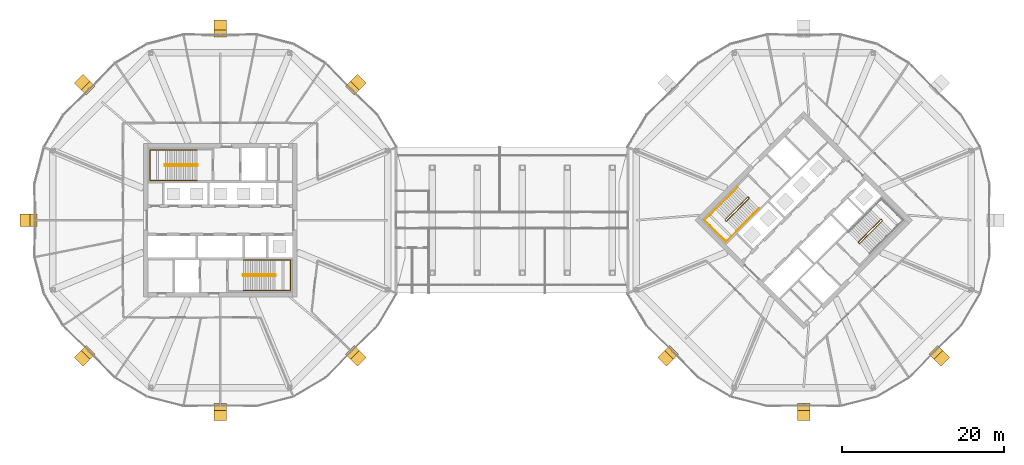
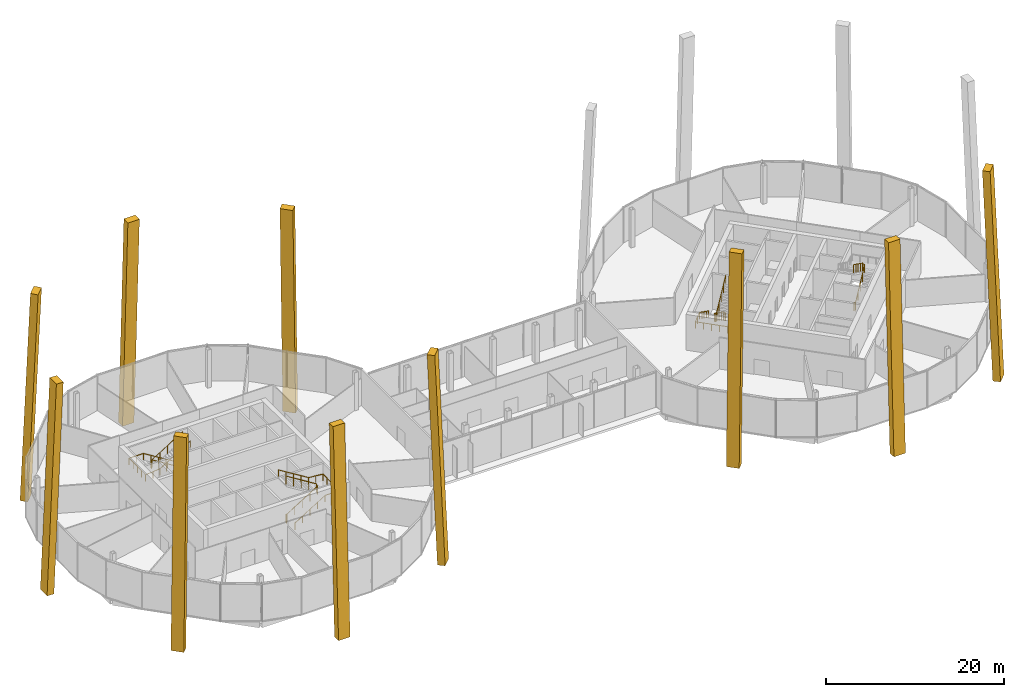
# One storey, part 26 of 28: 10 coverings, 7 railings.
"""IFC4 building model written with IfcOpenShell, lengths in metres."""

from ifc_helpers import new_model, si_unit, direction, frame, origin, origin_2d, place, context, subcontext, project, spatial, rectangle, circle, extrude, material, material_profile, profile_set, type_object, element, save


model = new_model("IFC4")

# Units and contexts
model_context = context("Model", 3, precision=1e-05, world=origin(), true_north=direction((0.0, 1.0)))
body_context = subcontext(model_context, "Body", "Model", "MODEL_VIEW")
ifc_project = project(units=[si_unit("LENGTHUNIT", "METRE"), si_unit("AREAUNIT", "SQUARE_METRE"), si_unit("VOLUMEUNIT", "CUBIC_METRE"), si_unit("PLANEANGLEUNIT", "RADIAN"), si_unit("MASSUNIT", "GRAM", prefix="KILO")], contexts=[model_context])

# Site, building, storey
site_placement = place(None, origin())
site = spatial("IfcSite", under=ifc_project, at=site_placement, CompositionType="ELEMENT")
building_placement = place(site_placement, origin())
building = spatial("IfcBuilding", under=site, at=building_placement, Name="Ogive Gate Towers", CompositionType="ELEMENT")
storey_placement = place(building_placement, frame((0.0, 0.0, 135.60009765625)))
storey = spatial("IfcBuildingStorey", under=building, at=storey_placement, Name="L32", CompositionType="ELEMENT", Elevation=135.60009765625)

# Coverings
ifc_material_1 = material(Name="Pale metal aluminium", Category="aluminium")
ifc_material_profile = material_profile(ifc_material_1, rectangle(XDim=1.5, YDim=0.89990234375, at=origin_2d()), Name="1500 x 900 pale metal aluminium")
ifc_profile_set = profile_set([ifc_material_profile], Name="Pale metal aluminium")
covering_type = type_object("IfcCoveringType", Name="Crease colonnette 1500 x 900", PredefinedType="CLADDING", material=ifc_profile_set)
for number, where, z_axis, x_axis, name in (
    (1, (-18.84521484375, 17.15478515625, -4.10009765625), (-0.029901693981, -0.029901693981, 0.999105488622), (0.707106781187, -0.707106781187, 0.0), "Crease colonnette"),
    (2, (-36.0, 24.260498046875, -4.10009765625), (0.0, -0.042285399658, 0.999105572488), (1.0, 0.0, 0.0), "Crease colonnette"),
    (3, (-53.15478515625, 17.15478515625, -4.10009765625), (0.029901693981, -0.029901693981, 0.999105488622), (0.707106781187, 0.707106781187, 0.0), "Crease colonnette"),
    (4, (-60.260498046875, 0.0, -4.10009765625), (0.042285399658, 0.0, 0.999105572488), (0.0, 1.0, 0.0), "Crease colonnette"),
    (5, (-53.15478515625, -17.15478515625, -4.10009765625), (0.029901693981, 0.029901693981, 0.999105488622), (-0.707106781187, 0.707106781187, 0.0), "Crease colonnette"),
    (6, (-36.0, -24.260498046875, -4.10009765625), (0.0, 0.042285399658, 0.999105572488), (-1.0, 0.0, 0.0), "Crease colonnette"),
    (7, (-18.84521484375, -17.15478515625, -4.10009765625), (-0.029901693981, 0.029901693981, 0.999105488622), (-0.707106781187, -0.707106781187, 0.0), "Crease colonnette"),
    (8, (18.84521484375, -17.15478515625, -4.10009765625), (0.029901693981, 0.029901693981, 0.999105488622), (-0.707106781187, 0.707106781187, 0.0), "Crease colonnette"),
    (9, (36.0, -24.260498046875, -4.10009765625), (0.0, 0.042285399658, 0.999105572488), (-1.0, 0.0, 0.0), "Crease colonnette"),
    (10, (53.15478515625, -17.15478515625, -4.10009765625), (-0.029901693981, 0.029901693981, 0.999105488622), (-0.707106781187, -0.707106781187, 0.0), "Crease colonnette"),
):
    element("IfcCovering", number, at=place(storey_placement, frame(where, z_axis=z_axis, x_axis=x_axis)), inside=storey, type_object=covering_type, Name=name, PredefinedType="CLADDING", context=body_context, shape_type="SweptSolid", body=[
        extrude(rectangle(XDim=1.5, YDim=0.89990234375, at=origin_2d()), origin(), (0.0, 0.0, 1.0), 28.625732421875),
    ])

# Railings
ifc_material_2 = material(Name="Stainless steel", Category="steel")
railing_type_1 = type_object("IfcRailingType", Name="Stair guard 1100", PredefinedType="GUARDRAIL", material=ifc_material_2)
railing_1_placement = place(storey_placement, frame((-38.81494140625, 6.860107421875, 0.0)))
element("IfcRailing", 11, at=railing_1_placement, inside=storey, type_object=railing_type_1, Name="L32 ST1 stair guard 1", PredefinedType="GUARDRAIL", context=body_context, shape_type="SweptSolid", body=[
    extrude(circle(Radius=0.02392578125, at=origin_2d()), frame((0.0, 0.0, 1.076171875), z_axis=(0.0, -1.0, 0.0), x_axis=(1.0, 0.0, 0.0)), (0.0, 0.0, 1.0), 0.14501953125),
    extrude(circle(Radius=0.02392578125, at=origin_2d()), frame((0.0, -0.14501953125, 1.076171875), z_axis=(-0.188484013824, 0.733708502594, 0.652798291782), x_axis=(-0.968551454522, -0.24881334358, 0.0)), (0.0, 0.0, 1.0), 0.265625),
    extrude(circle(Radius=0.02392578125, at=origin_2d()), frame((-0.050048828125, 0.0498046875, 1.24951171875), z_axis=(-0.850275303828, 0.0, 0.526338206574), x_axis=(0.0, -1.0, 0.0)), (0.0, 0.0, 1.0), 4.610107421875),
    extrude(circle(Radius=0.02392578125, at=origin_2d()), frame((-3.969970703125, 0.0498046875, 3.67578125), z_axis=(-0.708833529934, -0.705375805398, 0.0), x_axis=(0.705375805398, -0.708833529934, 0.0)), (0.0, 0.0, 1.0), 0.070556640625),
    extrude(circle(Radius=0.02392578125, at=origin_2d()), frame((-4.02001953125, 0.0, 3.67578125), z_axis=(0.0, -1.0, 0.0), x_axis=(1.0, 0.0, 0.0)), (0.0, 0.0, 1.0), 0.14501953125),
    extrude(circle(Radius=0.02392578125, at=origin_2d()), frame((-4.02001953125, -0.14501953125, 3.67578125), z_axis=(0.26730667905, -0.26730667905, 0.925793864027), x_axis=(0.707106781187, 0.707106781187, 0.0)), (0.0, 0.0, 1.0), 0.187255859375),
    extrude(circle(Radius=0.02392578125, at=origin_2d()), frame((-3.969970703125, -0.195068359375, 3.84912109375), z_axis=(0.850251603719, 0.0, 0.526376491091), x_axis=(0.0, 1.0, 0.0)), (0.0, 0.0, 1.0), 4.6103515625),
    extrude(circle(Radius=0.02099609375, at=origin_2d()), origin(), (0.0, 0.0, 1.0), 1.052001953125),
    extrude(circle(Radius=0.02099609375, at=origin_2d()), frame((0.0, -0.14501953125, 0.0)), (0.0, 0.0, 1.0), 1.052001953125),
    extrude(circle(Radius=0.02099609375, at=origin_2d()), frame((-0.050048828125, 0.0498046875, 0.17333984375)), (0.0, 0.0, 1.0), 1.052001953125),
    extrude(circle(Radius=0.02099609375, at=origin_2d()), frame((-1.030029296875, 0.0498046875, 0.780029296875)), (0.0, 0.0, 1.0), 1.052001953125),
    extrude(circle(Radius=0.02099609375, at=origin_2d()), frame((-2.010009765625, 0.0498046875, 1.38671875)), (0.0, 0.0, 1.0), 1.052001953125),
    extrude(circle(Radius=0.02099609375, at=origin_2d()), frame((-2.989990234375, 0.0498046875, 1.9931640625)), (0.0, 0.0, 1.0), 1.052001953125),
    extrude(circle(Radius=0.02099609375, at=origin_2d()), frame((-3.969970703125, 0.0498046875, 2.599853515625)), (0.0, 0.0, 1.0), 1.052001953125),
    extrude(circle(Radius=0.02099609375, at=origin_2d()), frame((-4.02001953125, 0.0, 2.599853515625)), (0.0, 0.0, 1.0), 1.052001953125),
    extrude(circle(Radius=0.02099609375, at=origin_2d()), frame((-4.02001953125, -0.14501953125, 2.599853515625)), (0.0, 0.0, 1.0), 1.052001953125),
    extrude(circle(Radius=0.02099609375, at=origin_2d()), frame((-3.969970703125, -0.195068359375, 2.773193359375)), (0.0, 0.0, 1.0), 1.052001953125),
    extrude(circle(Radius=0.02099609375, at=origin_2d()), frame((-2.989990234375, -0.195068359375, 3.3798828125)), (0.0, 0.0, 1.0), 1.052001953125),
    extrude(circle(Radius=0.02099609375, at=origin_2d()), frame((-2.010009765625, -0.195068359375, 3.986572265625)), (0.0, 0.0, 1.0), 1.052001953125),
    extrude(circle(Radius=0.02099609375, at=origin_2d()), frame((-1.030029296875, -0.195068359375, 4.59326171875)), (0.0, 0.0, 1.0), 1.052001953125),
    extrude(circle(Radius=0.02099609375, at=origin_2d()), frame((-0.050048828125, -0.195068359375, 5.199951171875)), (0.0, 0.0, 1.0), 1.052001953125),
])
railing_2_placement = place(storey_placement, frame((-33.18505859375, -6.860107421875, 0.0)))
element("IfcRailing", 12, at=railing_2_placement, inside=storey, type_object=railing_type_1, Name="L32 ST2 stair guard 1", PredefinedType="GUARDRAIL", context=body_context, shape_type="SweptSolid", body=[
    extrude(circle(Radius=0.02392578125, at=origin_2d()), frame((0.0, 0.0, 1.076171875), z_axis=(0.0, 1.0, 0.0), x_axis=(-1.0, 0.0, 0.0)), (0.0, 0.0, 1.0), 0.14501953125),
    extrude(circle(Radius=0.02392578125, at=origin_2d()), frame((0.0, 0.14501953125, 1.076171875), z_axis=(0.188484013824, -0.733708502594, 0.652798291782), x_axis=(0.968551454522, 0.24881334358, 0.0)), (0.0, 0.0, 1.0), 0.265625),
    extrude(circle(Radius=0.02392578125, at=origin_2d()), frame((0.050048828125, -0.0498046875, 1.24951171875), z_axis=(0.850275303828, 0.0, 0.526338206574), x_axis=(0.0, 1.0, 0.0)), (0.0, 0.0, 1.0), 4.610107421875),
    extrude(circle(Radius=0.02392578125, at=origin_2d()), frame((3.969970703125, -0.0498046875, 3.67578125), z_axis=(0.708833529934, 0.705375805398, 0.0), x_axis=(-0.705375805398, 0.708833529934, 0.0)), (0.0, 0.0, 1.0), 0.070556640625),
    extrude(circle(Radius=0.02392578125, at=origin_2d()), frame((4.02001953125, 0.0, 3.67578125), z_axis=(0.0, 1.0, 0.0), x_axis=(-1.0, 0.0, 0.0)), (0.0, 0.0, 1.0), 0.14501953125),
    extrude(circle(Radius=0.02392578125, at=origin_2d()), frame((4.02001953125, 0.14501953125, 3.67578125), z_axis=(-0.26730667905, 0.26730667905, 0.925793864027), x_axis=(-0.707106781187, -0.707106781187, 0.0)), (0.0, 0.0, 1.0), 0.187255859375),
    extrude(circle(Radius=0.02392578125, at=origin_2d()), frame((3.969970703125, 0.195068359375, 3.84912109375), z_axis=(-0.850251603719, 0.0, 0.526376491091), x_axis=(0.0, -1.0, 0.0)), (0.0, 0.0, 1.0), 4.6103515625),
    extrude(circle(Radius=0.02099609375, at=origin_2d()), origin(), (0.0, 0.0, 1.0), 1.052001953125),
    extrude(circle(Radius=0.02099609375, at=origin_2d()), frame((0.0, 0.14501953125, 0.0)), (0.0, 0.0, 1.0), 1.052001953125),
    extrude(circle(Radius=0.02099609375, at=origin_2d()), frame((0.050048828125, -0.0498046875, 0.17333984375)), (0.0, 0.0, 1.0), 1.052001953125),
    extrude(circle(Radius=0.02099609375, at=origin_2d()), frame((1.030029296875, -0.0498046875, 0.780029296875)), (0.0, 0.0, 1.0), 1.052001953125),
    extrude(circle(Radius=0.02099609375, at=origin_2d()), frame((2.010009765625, -0.0498046875, 1.38671875)), (0.0, 0.0, 1.0), 1.052001953125),
    extrude(circle(Radius=0.02099609375, at=origin_2d()), frame((2.989990234375, -0.0498046875, 1.9931640625)), (0.0, 0.0, 1.0), 1.052001953125),
    extrude(circle(Radius=0.02099609375, at=origin_2d()), frame((3.969970703125, -0.0498046875, 2.599853515625)), (0.0, 0.0, 1.0), 1.052001953125),
    extrude(circle(Radius=0.02099609375, at=origin_2d()), frame((4.02001953125, 0.0, 2.599853515625)), (0.0, 0.0, 1.0), 1.052001953125),
    extrude(circle(Radius=0.02099609375, at=origin_2d()), frame((4.02001953125, 0.14501953125, 2.599853515625)), (0.0, 0.0, 1.0), 1.052001953125),
    extrude(circle(Radius=0.02099609375, at=origin_2d()), frame((3.969970703125, 0.195068359375, 2.773193359375)), (0.0, 0.0, 1.0), 1.052001953125),
    extrude(circle(Radius=0.02099609375, at=origin_2d()), frame((2.989990234375, 0.195068359375, 3.3798828125)), (0.0, 0.0, 1.0), 1.052001953125),
    extrude(circle(Radius=0.02099609375, at=origin_2d()), frame((2.010009765625, 0.195068359375, 3.986572265625)), (0.0, 0.0, 1.0), 1.052001953125),
    extrude(circle(Radius=0.02099609375, at=origin_2d()), frame((1.030029296875, 0.195068359375, 4.59326171875)), (0.0, 0.0, 1.0), 1.052001953125),
    extrude(circle(Radius=0.02099609375, at=origin_2d()), frame((0.050048828125, 0.195068359375, 5.199951171875)), (0.0, 0.0, 1.0), 1.052001953125),
])
railing_3_placement = place(storey_placement, frame((29.15869140625, 2.8603515625, 0.0)))
element("IfcRailing", 13, at=railing_3_placement, inside=storey, type_object=railing_type_1, Name="L32 ST1 stair guard 1", PredefinedType="GUARDRAIL", context=body_context, shape_type="SweptSolid", body=[
    extrude(circle(Radius=0.02392578125, at=origin_2d()), frame((0.0, 0.0, 1.076171875), z_axis=(0.707106781187, -0.707106781187, 0.0), x_axis=(0.707106781187, 0.707106781187, 0.0)), (0.0, 0.0, 1.0), 0.14501953125),
    extrude(circle(Radius=0.02392578125, at=origin_2d()), frame((0.1025390625, -0.1025390625, 1.076171875), z_axis=(-0.651809433609, 0.386121244169, 0.652728769904), x_axis=(-0.509669330572, -0.860370369942, 0.0)), (0.0, 0.0, 1.0), 0.265625),
    extrude(circle(Radius=0.02392578125, at=origin_2d()), frame((-0.070556640625, 0.0, 1.24951171875), z_axis=(-0.601245607008, -0.601245607008, 0.526314962837), x_axis=(0.707106781187, -0.707106781187, 0.0)), (0.0, 0.0, 1.0), 4.6103515625),
    extrude(circle(Radius=0.02392578125, at=origin_2d()), frame((-2.842529296875, -2.77197265625, 3.67578125), z_axis=(0.0, -1.0, 0.0), x_axis=(1.0, 0.0, 0.0)), (0.0, 0.0, 1.0), 0.07080078125),
    extrude(circle(Radius=0.02392578125, at=origin_2d()), frame((-2.842529296875, -2.8427734375, 3.67578125), z_axis=(0.707106781187, -0.707106781187, 0.0), x_axis=(0.707106781187, 0.707106781187, 0.0)), (0.0, 0.0, 1.0), 0.14501953125),
    extrude(circle(Radius=0.02392578125, at=origin_2d()), frame((-2.739990234375, -2.9453125, 3.67578125), z_axis=(0.378125083424, 0.0, 0.925754514591), x_axis=(0.0, 1.0, 0.0)), (0.0, 0.0, 1.0), 0.187255859375),
    extrude(circle(Radius=0.02392578125, at=origin_2d()), frame((-2.669189453125, -2.9453125, 3.84912109375), z_axis=(0.6011950363, 0.601247991029, 0.526370004476), x_axis=(-0.707137920976, 0.707075640025, 0.0)), (0.0, 0.0, 1.0), 4.6103515625),
    extrude(circle(Radius=0.02099609375, at=origin_2d()), origin(), (0.0, 0.0, 1.0), 1.052001953125),
    extrude(circle(Radius=0.02099609375, at=origin_2d()), frame((0.1025390625, -0.1025390625, 0.0)), (0.0, 0.0, 1.0), 1.052001953125),
    extrude(circle(Radius=0.02099609375, at=origin_2d()), frame((-0.070556640625, 0.0, 0.17333984375)), (0.0, 0.0, 1.0), 1.052001953125),
    extrude(circle(Radius=0.02099609375, at=origin_2d()), frame((-0.763671875, -0.69287109375, 0.780029296875)), (0.0, 0.0, 1.0), 1.052001953125),
    extrude(circle(Radius=0.02099609375, at=origin_2d()), frame((-1.45654296875, -1.385986328125, 1.38671875)), (0.0, 0.0, 1.0), 1.052001953125),
    extrude(circle(Radius=0.02099609375, at=origin_2d()), frame((-2.1494140625, -2.0791015625, 1.9931640625)), (0.0, 0.0, 1.0), 1.052001953125),
    extrude(circle(Radius=0.02099609375, at=origin_2d()), frame((-2.842529296875, -2.77197265625, 2.599853515625)), (0.0, 0.0, 1.0), 1.052001953125),
    extrude(circle(Radius=0.02099609375, at=origin_2d()), frame((-2.842529296875, -2.8427734375, 2.599853515625)), (0.0, 0.0, 1.0), 1.052001953125),
    extrude(circle(Radius=0.02099609375, at=origin_2d()), frame((-2.739990234375, -2.9453125, 2.599853515625)), (0.0, 0.0, 1.0), 1.052001953125),
    extrude(circle(Radius=0.02099609375, at=origin_2d()), frame((-2.669189453125, -2.9453125, 2.773193359375)), (0.0, 0.0, 1.0), 1.052001953125),
    extrude(circle(Radius=0.02099609375, at=origin_2d()), frame((-1.976318359375, -2.25244140625, 3.3798828125)), (0.0, 0.0, 1.0), 1.052001953125),
    extrude(circle(Radius=0.02099609375, at=origin_2d()), frame((-1.283203125, -1.559326171875, 3.986572265625)), (0.0, 0.0, 1.0), 1.052001953125),
    extrude(circle(Radius=0.02099609375, at=origin_2d()), frame((-0.59033203125, -0.8662109375, 4.59326171875)), (0.0, 0.0, 1.0), 1.052001953125),
    extrude(circle(Radius=0.02099609375, at=origin_2d()), frame((0.1025390625, -0.17333984375, 5.199951171875)), (0.0, 0.0, 1.0), 1.052001953125),
])
railing_4_placement = place(storey_placement, frame((42.84130859375, -2.8603515625, 0.0)))
element("IfcRailing", 14, at=railing_4_placement, inside=storey, type_object=railing_type_1, Name="L32 ST2 stair guard 1", PredefinedType="GUARDRAIL", context=body_context, shape_type="SweptSolid", body=[
    extrude(circle(Radius=0.02392578125, at=origin_2d()), frame((0.0, 0.0, 1.076171875), z_axis=(-0.707106781187, 0.707106781187, 0.0), x_axis=(-0.707106781187, -0.707106781187, 0.0)), (0.0, 0.0, 1.0), 0.14501953125),
    extrude(circle(Radius=0.02392578125, at=origin_2d()), frame((-0.1025390625, 0.1025390625, 1.076171875), z_axis=(0.651809433609, -0.386121244169, 0.652728769904), x_axis=(0.509669330572, 0.860370369942, 0.0)), (0.0, 0.0, 1.0), 0.265625),
    extrude(circle(Radius=0.02392578125, at=origin_2d()), frame((0.070556640625, 0.0, 1.24951171875), z_axis=(0.601245607008, 0.601245607008, 0.526314962837), x_axis=(-0.707106781187, 0.707106781187, 0.0)), (0.0, 0.0, 1.0), 4.6103515625),
    extrude(circle(Radius=0.02392578125, at=origin_2d()), frame((2.842529296875, 2.77197265625, 3.67578125), z_axis=(0.0, 1.0, 0.0), x_axis=(-1.0, 0.0, 0.0)), (0.0, 0.0, 1.0), 0.07080078125),
    extrude(circle(Radius=0.02392578125, at=origin_2d()), frame((2.842529296875, 2.8427734375, 3.67578125), z_axis=(-0.707106781187, 0.707106781187, 0.0), x_axis=(-0.707106781187, -0.707106781187, 0.0)), (0.0, 0.0, 1.0), 0.14501953125),
    extrude(circle(Radius=0.02392578125, at=origin_2d()), frame((2.739990234375, 2.9453125, 3.67578125), z_axis=(-0.378125083424, 0.0, 0.925754514591), x_axis=(0.0, -1.0, 0.0)), (0.0, 0.0, 1.0), 0.187255859375),
    extrude(circle(Radius=0.02392578125, at=origin_2d()), frame((2.669189453125, 2.9453125, 3.84912109375), z_axis=(-0.6011950363, -0.601247991029, 0.526370004476), x_axis=(0.707137920976, -0.707075640025, 0.0)), (0.0, 0.0, 1.0), 4.6103515625),
    extrude(circle(Radius=0.02099609375, at=origin_2d()), origin(), (0.0, 0.0, 1.0), 1.052001953125),
    extrude(circle(Radius=0.02099609375, at=origin_2d()), frame((-0.1025390625, 0.1025390625, 0.0)), (0.0, 0.0, 1.0), 1.052001953125),
    extrude(circle(Radius=0.02099609375, at=origin_2d()), frame((0.070556640625, 0.0, 0.17333984375)), (0.0, 0.0, 1.0), 1.052001953125),
    extrude(circle(Radius=0.02099609375, at=origin_2d()), frame((0.763671875, 0.69287109375, 0.780029296875)), (0.0, 0.0, 1.0), 1.052001953125),
    extrude(circle(Radius=0.02099609375, at=origin_2d()), frame((1.45654296875, 1.385986328125, 1.38671875)), (0.0, 0.0, 1.0), 1.052001953125),
    extrude(circle(Radius=0.02099609375, at=origin_2d()), frame((2.1494140625, 2.0791015625, 1.9931640625)), (0.0, 0.0, 1.0), 1.052001953125),
    extrude(circle(Radius=0.02099609375, at=origin_2d()), frame((2.842529296875, 2.77197265625, 2.599853515625)), (0.0, 0.0, 1.0), 1.052001953125),
    extrude(circle(Radius=0.02099609375, at=origin_2d()), frame((2.842529296875, 2.8427734375, 2.599853515625)), (0.0, 0.0, 1.0), 1.052001953125),
    extrude(circle(Radius=0.02099609375, at=origin_2d()), frame((2.739990234375, 2.9453125, 2.599853515625)), (0.0, 0.0, 1.0), 1.052001953125),
    extrude(circle(Radius=0.02099609375, at=origin_2d()), frame((2.669189453125, 2.9453125, 2.773193359375)), (0.0, 0.0, 1.0), 1.052001953125),
    extrude(circle(Radius=0.02099609375, at=origin_2d()), frame((1.976318359375, 2.25244140625, 3.3798828125)), (0.0, 0.0, 1.0), 1.052001953125),
    extrude(circle(Radius=0.02099609375, at=origin_2d()), frame((1.283203125, 1.559326171875, 3.986572265625)), (0.0, 0.0, 1.0), 1.052001953125),
    extrude(circle(Radius=0.02099609375, at=origin_2d()), frame((0.59033203125, 0.8662109375, 4.59326171875)), (0.0, 0.0, 1.0), 1.052001953125),
    extrude(circle(Radius=0.02099609375, at=origin_2d()), frame((-0.1025390625, 0.17333984375, 5.199951171875)), (0.0, 0.0, 1.0), 1.052001953125),
])
railing_type_2 = type_object("IfcRailingType", Name="Stair handrail 900", PredefinedType="HANDRAIL", material=ifc_material_2)
railing_5_placement = place(storey_placement, frame((-38.864990234375, 8.64990234375, 0.17333984375)))
element("IfcRailing", 15, at=railing_5_placement, inside=storey, type_object=railing_type_2, Name="L32 ST1 stair handrail 1", PredefinedType="HANDRAIL", context=body_context, shape_type="SweptSolid", body=[
    extrude(circle(Radius=0.02392578125, at=origin_2d()), frame((0.0, 0.0, 0.8759765625), z_axis=(-0.850275303828, 0.0, 0.526338206574), x_axis=(0.0, -1.0, 0.0)), (0.0, 0.0, 1.0), 4.610107421875),
    extrude(circle(Radius=0.02392578125, at=origin_2d()), frame((-3.919921875, 0.0, 3.30224609375), z_axis=(-1.0, 0.0, 0.0), x_axis=(0.0, -1.0, 0.0)), (0.0, 0.0, 1.0), 1.864990234375),
    extrude(circle(Radius=0.02392578125, at=origin_2d()), frame((-5.784912109375, 0.0, 3.30224609375), z_axis=(0.0, -1.0, 0.0), x_axis=(1.0, 0.0, 0.0)), (0.0, 0.0, 1.0), 3.724853515625),
    extrude(circle(Radius=0.02392578125, at=origin_2d()), frame((-5.784912109375, -3.724853515625, 3.30224609375), z_axis=(0.995708481517, 0.0, 0.092545231297), x_axis=(0.0, 1.0, 0.0)), (0.0, 0.0, 1.0), 1.873046875),
    extrude(circle(Radius=0.02392578125, at=origin_2d()), frame((-3.919921875, -3.724853515625, 3.4755859375), z_axis=(0.850251603719, 0.0, 0.526376491091), x_axis=(0.0, 1.0, 0.0)), (0.0, 0.0, 1.0), 4.6103515625),
    extrude(circle(Radius=0.02099609375, at=origin_2d()), origin(), (0.0, 0.0, 1.0), 0.851806640625),
    extrude(circle(Radius=0.02099609375, at=origin_2d()), frame((-0.97998046875, 0.0, 0.606689453125)), (0.0, 0.0, 1.0), 0.851806640625),
    extrude(circle(Radius=0.02099609375, at=origin_2d()), frame((-1.9599609375, 0.0, 1.21337890625)), (0.0, 0.0, 1.0), 0.851806640625),
    extrude(circle(Radius=0.02099609375, at=origin_2d()), frame((-2.93994140625, 0.0, 1.81982421875)), (0.0, 0.0, 1.0), 0.851806640625),
    extrude(circle(Radius=0.02099609375, at=origin_2d()), frame((-3.919921875, 0.0, 2.426513671875)), (0.0, 0.0, 1.0), 0.851806640625),
    extrude(circle(Radius=0.02099609375, at=origin_2d()), frame((-4.8525390625, 0.0, 2.426513671875)), (0.0, 0.0, 1.0), 0.851806640625),
    extrude(circle(Radius=0.02099609375, at=origin_2d()), frame((-5.784912109375, 0.0, 2.426513671875)), (0.0, 0.0, 1.0), 0.851806640625),
    extrude(circle(Radius=0.02099609375, at=origin_2d()), frame((-5.784912109375, -0.93115234375, 2.426513671875)), (0.0, 0.0, 1.0), 0.851806640625),
    extrude(circle(Radius=0.02099609375, at=origin_2d()), frame((-5.784912109375, -1.8623046875, 2.426513671875)), (0.0, 0.0, 1.0), 0.851806640625),
    extrude(circle(Radius=0.02099609375, at=origin_2d()), frame((-5.784912109375, -2.793701171875, 2.426513671875)), (0.0, 0.0, 1.0), 0.851806640625),
    extrude(circle(Radius=0.02099609375, at=origin_2d()), frame((-5.784912109375, -3.724853515625, 2.426513671875)), (0.0, 0.0, 1.0), 0.851806640625),
    extrude(circle(Radius=0.02099609375, at=origin_2d()), frame((-4.8525390625, -3.724853515625, 2.51318359375)), (0.0, 0.0, 1.0), 0.851806640625),
    extrude(circle(Radius=0.02099609375, at=origin_2d()), frame((-3.919921875, -3.724853515625, 2.599853515625)), (0.0, 0.0, 1.0), 0.851806640625),
    extrude(circle(Radius=0.02099609375, at=origin_2d()), frame((-2.93994140625, -3.724853515625, 3.20654296875)), (0.0, 0.0, 1.0), 0.851806640625),
    extrude(circle(Radius=0.02099609375, at=origin_2d()), frame((-1.9599609375, -3.724853515625, 3.813232421875)), (0.0, 0.0, 1.0), 0.851806640625),
    extrude(circle(Radius=0.02099609375, at=origin_2d()), frame((-0.97998046875, -3.724853515625, 4.419921875)), (0.0, 0.0, 1.0), 0.851806640625),
    extrude(circle(Radius=0.02099609375, at=origin_2d()), frame((0.0, -3.724853515625, 5.026611328125)), (0.0, 0.0, 1.0), 0.851806640625),
])
railing_6_placement = place(storey_placement, frame((-33.135009765625, -8.64990234375, 0.17333984375)))
element("IfcRailing", 16, at=railing_6_placement, inside=storey, type_object=railing_type_2, Name="L32 ST2 stair handrail 1", PredefinedType="HANDRAIL", context=body_context, shape_type="SweptSolid", body=[
    extrude(circle(Radius=0.02392578125, at=origin_2d()), frame((0.0, 0.0, 0.8759765625), z_axis=(0.850275303828, 0.0, 0.526338206574), x_axis=(0.0, 1.0, 0.0)), (0.0, 0.0, 1.0), 4.610107421875),
    extrude(circle(Radius=0.02392578125, at=origin_2d()), frame((3.919921875, 0.0, 3.30224609375), z_axis=(1.0, 0.0, 0.0), x_axis=(0.0, 1.0, 0.0)), (0.0, 0.0, 1.0), 1.864990234375),
    extrude(circle(Radius=0.02392578125, at=origin_2d()), frame((5.784912109375, 0.0, 3.30224609375), z_axis=(0.0, 1.0, 0.0), x_axis=(-1.0, 0.0, 0.0)), (0.0, 0.0, 1.0), 3.724853515625),
    extrude(circle(Radius=0.02392578125, at=origin_2d()), frame((5.784912109375, 3.724853515625, 3.30224609375), z_axis=(-0.995708481517, 0.0, 0.092545231297), x_axis=(0.0, -1.0, 0.0)), (0.0, 0.0, 1.0), 1.873046875),
    extrude(circle(Radius=0.02392578125, at=origin_2d()), frame((3.919921875, 3.724853515625, 3.4755859375), z_axis=(-0.850251603719, 0.0, 0.526376491091), x_axis=(0.0, -1.0, 0.0)), (0.0, 0.0, 1.0), 4.6103515625),
    extrude(circle(Radius=0.02099609375, at=origin_2d()), origin(), (0.0, 0.0, 1.0), 0.851806640625),
    extrude(circle(Radius=0.02099609375, at=origin_2d()), frame((0.97998046875, 0.0, 0.606689453125)), (0.0, 0.0, 1.0), 0.851806640625),
    extrude(circle(Radius=0.02099609375, at=origin_2d()), frame((1.9599609375, 0.0, 1.21337890625)), (0.0, 0.0, 1.0), 0.851806640625),
    extrude(circle(Radius=0.02099609375, at=origin_2d()), frame((2.93994140625, 0.0, 1.81982421875)), (0.0, 0.0, 1.0), 0.851806640625),
    extrude(circle(Radius=0.02099609375, at=origin_2d()), frame((3.919921875, 0.0, 2.426513671875)), (0.0, 0.0, 1.0), 0.851806640625),
    extrude(circle(Radius=0.02099609375, at=origin_2d()), frame((4.8525390625, 0.0, 2.426513671875)), (0.0, 0.0, 1.0), 0.851806640625),
    extrude(circle(Radius=0.02099609375, at=origin_2d()), frame((5.784912109375, 0.0, 2.426513671875)), (0.0, 0.0, 1.0), 0.851806640625),
    extrude(circle(Radius=0.02099609375, at=origin_2d()), frame((5.784912109375, 0.93115234375, 2.426513671875)), (0.0, 0.0, 1.0), 0.851806640625),
    extrude(circle(Radius=0.02099609375, at=origin_2d()), frame((5.784912109375, 1.8623046875, 2.426513671875)), (0.0, 0.0, 1.0), 0.851806640625),
    extrude(circle(Radius=0.02099609375, at=origin_2d()), frame((5.784912109375, 2.793701171875, 2.426513671875)), (0.0, 0.0, 1.0), 0.851806640625),
    extrude(circle(Radius=0.02099609375, at=origin_2d()), frame((5.784912109375, 3.724853515625, 2.426513671875)), (0.0, 0.0, 1.0), 0.851806640625),
    extrude(circle(Radius=0.02099609375, at=origin_2d()), frame((4.8525390625, 3.724853515625, 2.51318359375)), (0.0, 0.0, 1.0), 0.851806640625),
    extrude(circle(Radius=0.02099609375, at=origin_2d()), frame((3.919921875, 3.724853515625, 2.599853515625)), (0.0, 0.0, 1.0), 0.851806640625),
    extrude(circle(Radius=0.02099609375, at=origin_2d()), frame((2.93994140625, 3.724853515625, 3.20654296875)), (0.0, 0.0, 1.0), 0.851806640625),
    extrude(circle(Radius=0.02099609375, at=origin_2d()), frame((1.9599609375, 3.724853515625, 3.813232421875)), (0.0, 0.0, 1.0), 0.851806640625),
    extrude(circle(Radius=0.02099609375, at=origin_2d()), frame((0.97998046875, 3.724853515625, 4.419921875)), (0.0, 0.0, 1.0), 0.851806640625),
    extrude(circle(Radius=0.02099609375, at=origin_2d()), frame((0.0, 3.724853515625, 5.026611328125)), (0.0, 0.0, 1.0), 0.851806640625),
])
railing_7_placement = place(storey_placement, frame((27.857666015625, 4.090576171875, 0.17333984375)))
element("IfcRailing", 17, at=railing_7_placement, inside=storey, type_object=railing_type_2, Name="L32 ST1 stair handrail 1", PredefinedType="HANDRAIL", context=body_context, shape_type="SweptSolid", body=[
    extrude(circle(Radius=0.02392578125, at=origin_2d()), frame((0.0, 0.0, 0.8759765625), z_axis=(-0.601264749941, -0.601211793736, 0.526331720069), x_axis=(0.707075640025, -0.707137920976, 0.0)), (0.0, 0.0, 1.0), 4.6103515625),
    extrude(circle(Radius=0.02392578125, at=origin_2d()), frame((-2.77197265625, -2.771728515625, 3.30224609375), z_axis=(-0.707041323489, -0.707172232825, 0.0), x_axis=(0.707172232825, -0.707041323489, 0.0)), (0.0, 0.0, 1.0), 1.864990234375),
    extrude(circle(Radius=0.02392578125, at=origin_2d()), frame((-4.090576171875, -4.090576171875, 3.30224609375), z_axis=(0.707106781187, -0.707106781187, 0.0), x_axis=(0.707106781187, 0.707106781187, 0.0)), (0.0, 0.0, 1.0), 3.72509765625),
    extrude(circle(Radius=0.02392578125, at=origin_2d()), frame((-1.45654296875, -6.724609375, 3.30224609375), z_axis=(0.704006943591, 0.704137291109, 0.092546737632), x_axis=(-0.707172232825, 0.707041323489, 0.0)), (0.0, 0.0, 1.0), 1.873046875),
    extrude(circle(Radius=0.02392578125, at=origin_2d()), frame((-0.137939453125, -5.40576171875, 3.4755859375), z_axis=(0.601247991029, 0.6011950363, 0.526370004476), x_axis=(-0.707075640025, 0.707137920976, 0.0)), (0.0, 0.0, 1.0), 4.6103515625),
    extrude(circle(Radius=0.02099609375, at=origin_2d()), origin(), (0.0, 0.0, 1.0), 0.851806640625),
    extrude(circle(Radius=0.02099609375, at=origin_2d()), frame((-0.69287109375, -0.69287109375, 0.606689453125)), (0.0, 0.0, 1.0), 0.851806640625),
    extrude(circle(Radius=0.02099609375, at=origin_2d()), frame((-1.385986328125, -1.3857421875, 1.21337890625)), (0.0, 0.0, 1.0), 0.851806640625),
    extrude(circle(Radius=0.02099609375, at=origin_2d()), frame((-2.0791015625, -2.078857421875, 1.81982421875)), (0.0, 0.0, 1.0), 0.851806640625),
    extrude(circle(Radius=0.02099609375, at=origin_2d()), frame((-2.77197265625, -2.771728515625, 2.426513671875)), (0.0, 0.0, 1.0), 0.851806640625),
    extrude(circle(Radius=0.02099609375, at=origin_2d()), frame((-3.43115234375, -3.43115234375, 2.426513671875)), (0.0, 0.0, 1.0), 0.851806640625),
    extrude(circle(Radius=0.02099609375, at=origin_2d()), frame((-4.090576171875, -4.090576171875, 2.426513671875)), (0.0, 0.0, 1.0), 0.851806640625),
    extrude(circle(Radius=0.02099609375, at=origin_2d()), frame((-3.43212890625, -4.7490234375, 2.426513671875)), (0.0, 0.0, 1.0), 0.851806640625),
    extrude(circle(Radius=0.02099609375, at=origin_2d()), frame((-2.7734375, -5.40771484375, 2.426513671875)), (0.0, 0.0, 1.0), 0.851806640625),
    extrude(circle(Radius=0.02099609375, at=origin_2d()), frame((-2.114990234375, -6.066162109375, 2.426513671875)), (0.0, 0.0, 1.0), 0.851806640625),
    extrude(circle(Radius=0.02099609375, at=origin_2d()), frame((-1.45654296875, -6.724609375, 2.426513671875)), (0.0, 0.0, 1.0), 0.851806640625),
    extrude(circle(Radius=0.02099609375, at=origin_2d()), frame((-0.79736328125, -6.065185546875, 2.51318359375)), (0.0, 0.0, 1.0), 0.851806640625),
    extrude(circle(Radius=0.02099609375, at=origin_2d()), frame((-0.137939453125, -5.40576171875, 2.599853515625)), (0.0, 0.0, 1.0), 0.851806640625),
    extrude(circle(Radius=0.02099609375, at=origin_2d()), frame((0.55517578125, -4.712890625, 3.20654296875)), (0.0, 0.0, 1.0), 0.851806640625),
    extrude(circle(Radius=0.02099609375, at=origin_2d()), frame((1.248046875, -4.02001953125, 3.813232421875)), (0.0, 0.0, 1.0), 0.851806640625),
    extrude(circle(Radius=0.02099609375, at=origin_2d()), frame((1.94091796875, -3.326904296875, 4.419921875)), (0.0, 0.0, 1.0), 0.851806640625),
    extrude(circle(Radius=0.02099609375, at=origin_2d()), frame((2.634033203125, -2.634033203125, 5.026611328125)), (0.0, 0.0, 1.0), 0.851806640625),
])

save(model, "model.ifc")
